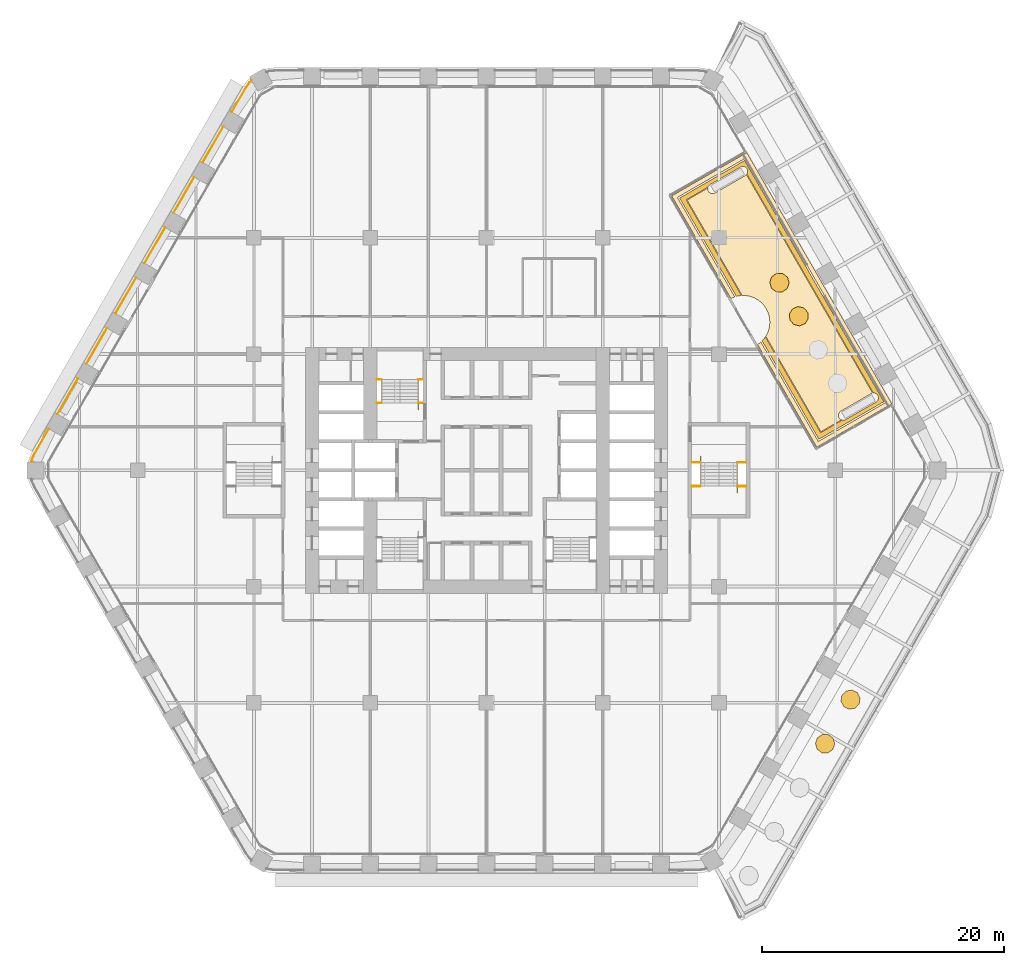
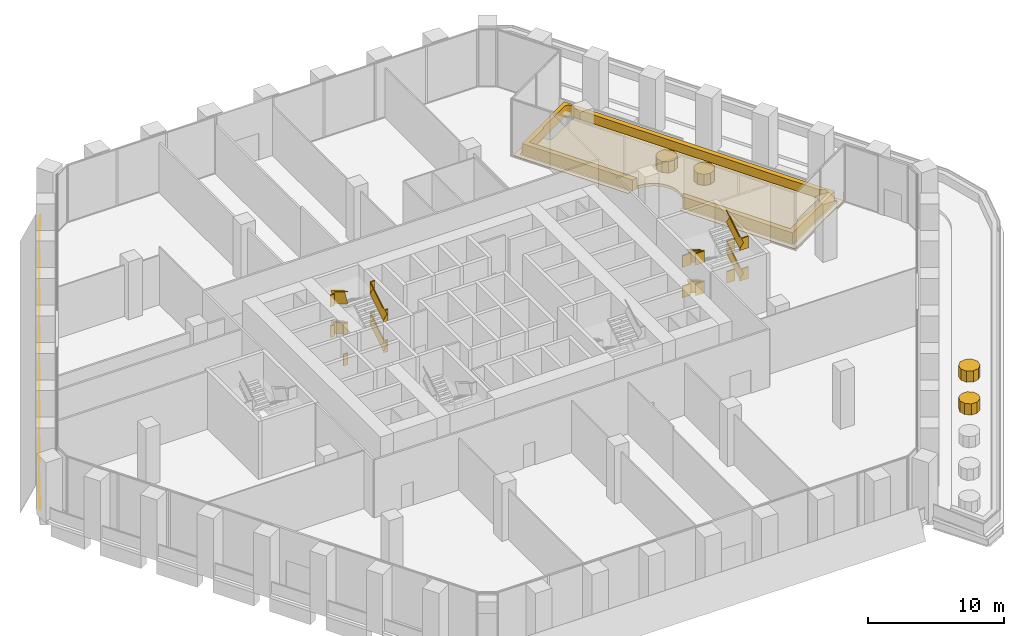
# One storey, part 31 of 32: 7 coverings, 5 railings.
"""IFC4 building model written with IfcOpenShell, lengths in metres."""

import ifcopenshell
import ifcopenshell.guid

model = None  # the IFC model being written
_history = None  # IfcOwnerHistory: only IFC2X3 demands one
_inside = {}  # id of a spatial element -> (the spatial element, [elements in it])
_under = {}  # id of a project, library or spatial element -> (it, [spatial elements below it])
_declared = {}  # id of a project -> (the project, [libraries it declares])
_typed = {}  # id of a type object -> (the type object, [elements of that type])
_made_of = {}  # id of a material, layer set ... -> (it, [elements and type objects made of it])


def new_model(schema):
    """Start an empty IFC model of exactly this schema.

    Asked for "IFC4X3", IfcOpenShell would pick the latest addendum, in which some entities
    have other attributes; the version numbers below select the first issue.
    IFC2X3 requires an IfcOwnerHistory on every rooted entity: one is made here for all.
    """
    global model, _history
    if schema == "IFC4X3":
        model = ifcopenshell.file(schema_version=(4, 3, 0, 0))
    else:
        model = ifcopenshell.file(schema=schema)
    _inside.clear()
    _under.clear()
    _declared.clear()
    _typed.clear()
    _made_of.clear()
    _history = None
    if model.schema == "IFC2X3":
        org = make("IfcOrganization", Name="unknown")
        user = make(
            "IfcPersonAndOrganization",
            ThePerson=make("IfcPerson", FamilyName="unknown"),
            TheOrganization=org,
        )
        app = make(
            "IfcApplication",
            ApplicationDeveloper=org,
            Version="unknown",
            ApplicationFullName="unknown",
            ApplicationIdentifier="unknown",
        )
        _history = make(
            "IfcOwnerHistory",
            OwningUser=user,
            OwningApplication=app,
            ChangeAction="ADDED",
            CreationDate=0,
        )
    return model


def make(cls, **values):
    """One entity of the class cls with the attributes given. An attribute that is None is left unset."""
    return model.create_entity(
        cls, **{name: value for name, value in values.items() if value is not None}
    )


def rooted(cls, **values):
    """An entity with a GlobalId (a new one), such as an element, a storey or a relation."""
    return make(cls, GlobalId=ifcopenshell.guid.new(), OwnerHistory=_history, **values)


def si_unit(unit_type, name, prefix=None):
    """IfcSIUnit, for example si_unit("LENGTHUNIT", "METRE", prefix="MILLI")."""
    return make("IfcSIUnit", UnitType=unit_type, Prefix=prefix, Name=name)


def assignment(units):
    """IfcUnitAssignment: the units of a project."""
    return None if units is None else make("IfcUnitAssignment", Units=units)


def point(xyz):
    """IfcCartesianPoint."""
    return None if xyz is None else make("IfcCartesianPoint", Coordinates=xyz)


def direction(xyz):
    """IfcDirection."""
    return None if xyz is None else make("IfcDirection", DirectionRatios=xyz)


def frame(location, z_axis=None, x_axis=None):
    """IfcAxis2Placement3D, a coordinate frame: its origin and axes. An axis left out is left unset."""
    return make(
        "IfcAxis2Placement3D",
        Location=point(location),
        Axis=direction(z_axis),
        RefDirection=direction(x_axis),
    )


def frame_2d(location, x_axis=None):
    """IfcAxis2Placement2D, a coordinate frame in the plane: its origin and x axis."""
    return make(
        "IfcAxis2Placement2D", Location=point(location), RefDirection=direction(x_axis)
    )


def origin():
    """The frame at (0, 0, 0) with its axes left unset."""
    return frame((0.0, 0.0, 0.0))


def origin_2d():
    """The frame at (0, 0) in the plane with its x axis left unset."""
    return frame_2d((0.0, 0.0))


def place(relative_to, where):
    """IfcLocalPlacement: puts the frame where relative to a parent placement (None: the world)."""
    return make(
        "IfcLocalPlacement", PlacementRelTo=relative_to, RelativePlacement=where
    )


def context(
    kind, dimensions, precision=None, world=None, true_north=None, identifier=None
):
    """IfcGeometricRepresentationContext, for example the 3D "Model" context."""
    return make(
        "IfcGeometricRepresentationContext",
        ContextIdentifier=identifier,
        ContextType=kind,
        CoordinateSpaceDimension=dimensions,
        Precision=precision,
        WorldCoordinateSystem=world,
        TrueNorth=true_north,
    )


def subcontext(parent, identifier, kind, view, scale=None):
    """IfcGeometricRepresentationSubContext, for example "Body" below "Model"."""
    return make(
        "IfcGeometricRepresentationSubContext",
        ContextIdentifier=identifier,
        ContextType=kind,
        ParentContext=parent,
        TargetScale=scale,
        TargetView=view,
    )


def project(units=None, contexts=None):
    """IfcProject with its units and contexts."""
    return rooted(
        "IfcProject",
        Name="project",
        RepresentationContexts=contexts,
        UnitsInContext=assignment(units),
    )


def spatial(cls, under=None, at=None, **own):
    """A site, building, storey or space (cls), placed at a placement, below another one or the project."""
    s = rooted(cls, ObjectPlacement=at, **own)
    if under is not None:
        _under.setdefault(under.id(), (under, []))[1].append(s)
    return s


def polyline(points):
    """IfcPolyline through the points."""
    return make("IfcPolyline", Points=[point(p) for p in points])


def profile(cls, at=None, kind="AREA", **sizes):
    """A parametric profile (cls). Its sizes go by their IFC names, for example OverallWidth=200.0."""
    return make(cls, ProfileType=kind, Position=at, **sizes)


def rectangle(**sizes):
    """IfcRectangleProfileDef."""
    return profile("IfcRectangleProfileDef", **sizes)


def outline(outer, holes=None, kind="AREA"):
    """IfcArbitraryClosedProfileDef: a profile drawn as a closed curve; with holes, ...WithVoids."""
    if holes is None:
        return make("IfcArbitraryClosedProfileDef", ProfileType=kind, OuterCurve=outer)
    return make(
        "IfcArbitraryProfileDefWithVoids",
        ProfileType=kind,
        OuterCurve=outer,
        InnerCurves=holes,
    )


def extrude(swept, where, along, depth):
    """IfcExtrudedAreaSolid: the profile swept, set in the frame where, extruded along a direction by depth."""
    return make(
        "IfcExtrudedAreaSolid",
        SweptArea=swept,
        Position=where,
        ExtrudedDirection=direction(along),
        Depth=depth,
    )


def shape(context_of_items, identifier, shape_type, items):
    """IfcShapeRepresentation: the items that make up one representation, for example the "Body"."""
    return make(
        "IfcShapeRepresentation",
        ContextOfItems=context_of_items,
        RepresentationIdentifier=identifier,
        RepresentationType=shape_type,
        Items=items,
    )


def material(Name=None, Category=None):
    """IfcMaterial."""
    return make("IfcMaterial", Name=Name, Category=Category)


def layer(
    of_material, thickness, ventilated=None, Name=None, Category=None, Priority=None
):
    """IfcMaterialLayer: one layer of a wall or slab, of a material (None: an air gap)."""
    return make(
        "IfcMaterialLayer",
        Material=of_material,
        LayerThickness=thickness,
        IsVentilated=ventilated,
        Name=Name,
        Category=Category,
        Priority=Priority,
    )


def layer_set(layers, Name=None):
    """IfcMaterialLayerSet."""
    return make("IfcMaterialLayerSet", MaterialLayers=layers, LayerSetName=Name)


def made_of(thing, what):
    """Note that an element or type object is made of a material, layer set ...; save() writes the relation."""
    if what is not None:
        _made_of.setdefault(what.id(), (what, []))[1].append(thing)
    return thing


def type_object(cls, material=None, **own):
    """A type object (cls), such as IfcWallType, which elements share."""
    return made_of(rooted(cls, **own), material)


def element(
    cls,
    number,
    at=None,
    inside=None,
    cuts=None,
    type_object=None,
    material=None,
    context=None,
    identifier="Body",
    shape_type=None,
    held_by="IfcProductDefinitionShape",
    body=None,
    shapes=None,
    **own,
):
    """One element of the class cls, such as IfcWall. Its Tag is "e" and its number.

    at: its placement. inside: the storey or other place that contains it. cuts: it is an
    opening in that element (IfcRelVoidsElement). A single representation is given by context,
    identifier, shape_type and body (its items); several are given by shapes. held_by: the class
    of the entity that holds the representations. save() writes the other relations.
    """
    e = rooted(cls, Tag="e%d" % number, ObjectPlacement=at, **own)
    if body is not None:
        shapes = [shape(context, identifier, shape_type, body)]
    if shapes is not None:
        e.Representation = make(held_by, Representations=shapes)
    if inside is not None:
        _inside.setdefault(inside.id(), (inside, []))[1].append(e)
    if cuts is not None:
        rooted(
            "IfcRelVoidsElement", RelatingBuildingElement=cuts, RelatedOpeningElement=e
        )
    if type_object is not None:
        _typed.setdefault(type_object.id(), (type_object, []))[1].append(e)
    return made_of(e, material)


def aggregate(whole, parts):
    """IfcRelAggregates: a whole, such as a stair, and the parts it consists of."""
    return rooted("IfcRelAggregates", RelatingObject=whole, RelatedObjects=parts)


def save(model, path):
    """Write the relations noted so far, then the file.

    IfcRelAggregates (storeys below a building ...), IfcRelContainedInSpatialStructure (elements
    in a storey), IfcRelDefinesByType, IfcRelAssociatesMaterial and IfcRelDeclares: one each for
    every whole, place, type object, material and project.
    """
    for whole, parts in _under.values():
        aggregate(whole, parts)
    for where, things in _inside.values():
        rooted(
            "IfcRelContainedInSpatialStructure",
            RelatedElements=things,
            RelatingStructure=where,
        )
    for kind, things in _typed.values():
        rooted("IfcRelDefinesByType", RelatedObjects=things, RelatingType=kind)
    for what, things in _made_of.values():
        rooted("IfcRelAssociatesMaterial", RelatedObjects=things, RelatingMaterial=what)
    for by, libraries in _declared.values():
        rooted("IfcRelDeclares", RelatingContext=by, RelatedDefinitions=libraries)
    model.write(path)


model = new_model("IFC4")

# Units and contexts
model_context = context("Model", 3, precision=1e-05, world=origin(), true_north=direction((0.0, 1.0)))
body_context = subcontext(model_context, "Body", "Model", "MODEL_VIEW")
ifc_project = project(units=[si_unit("LENGTHUNIT", "METRE"), si_unit("AREAUNIT", "SQUARE_METRE"), si_unit("VOLUMEUNIT", "CUBIC_METRE"), si_unit("PLANEANGLEUNIT", "RADIAN"), si_unit("MASSUNIT", "GRAM", prefix="KILO")], contexts=[model_context])

# Site, building, storey
site_placement = place(None, origin())
site = spatial("IfcSite", under=ifc_project, at=site_placement, CompositionType="ELEMENT")
building_placement = place(site_placement, origin())
building = spatial("IfcBuilding", under=site, at=building_placement, Name="Kolab Exchange Tower", CompositionType="ELEMENT")
storey_placement = place(building_placement, frame((0.0, 0.0, 60.89990234375)))
storey = spatial("IfcBuildingStorey", under=building, at=storey_placement, Name="L11", CompositionType="ELEMENT", Elevation=60.89990234375)

# Coverings
ifc_material_1 = material(Name="Flowering shrub planting", Category="soil")
ifc_layer_1 = layer(ifc_material_1, 1.0)
ifc_layer_set_1 = layer_set([ifc_layer_1], Name="Flowering shrub planting")
covering_type_1 = type_object("IfcCoveringType", Name="FLOWERING SHRUB PLANTING", PredefinedType="USERDEFINED", material=ifc_layer_set_1)
covering_1_placement = place(storey_placement, frame((0.0, 0.0, 0.25)))
element("IfcCovering", 1, at=covering_1_placement, inside=storey, type_object=covering_type_1, Name="Flowering shrub", ObjectType="PLANTING", PredefinedType="USERDEFINED", context=body_context, shape_type="SweptSolid", body=[
    extrude(outline(polyline([(26.529541015625, 13.03759765625), (26.205810546875, 13.411376953125), (25.72412109375, 13.523193359375), (25.268798828125, 13.33056640625), (25.013427734375, 12.9072265625), (25.055908203125, 12.41455078125), (25.379638671875, 12.041015625), (25.861328125, 11.928955078125), (26.316650390625, 12.12158203125), (26.572021484375, 12.545166015625), (26.529541015625, 13.03759765625)])), origin(), (0.0, 0.0, 1.0), 1.0),
])
covering_2_placement = place(storey_placement, frame((0.0, 0.0, 0.25)))
element("IfcCovering", 2, at=covering_2_placement, inside=storey, type_object=covering_type_1, Name="Flowering shrub", ObjectType="PLANTING", PredefinedType="USERDEFINED", context=body_context, shape_type="SweptSolid", body=[
    extrude(outline(polyline([(24.85302734375, 15.948974609375), (24.46142578125, 16.2509765625), (23.967041015625, 16.264892578125), (23.55908203125, 15.985595703125), (23.39306640625, 15.52001953125), (23.532470703125, 15.045654296875), (23.924072265625, 14.743896484375), (24.418212890625, 14.729736328125), (24.826416015625, 15.009033203125), (24.992431640625, 15.474609375), (24.85302734375, 15.948974609375)])), origin(), (0.0, 0.0, 1.0), 1.0),
])
covering_3_placement = place(storey_placement, frame((0.0, 0.0, 0.25)))
element("IfcCovering", 3, at=covering_3_placement, inside=storey, type_object=covering_type_1, Name="Flowering shrub", ObjectType="PLANTING", PredefinedType="USERDEFINED", context=body_context, shape_type="SweptSolid", body=[
    extrude(outline(polyline([(28.621337890625, -22.1220703125), (28.229736328125, -21.8203125), (27.735595703125, -21.806396484375), (27.327392578125, -22.08544921875), (27.161376953125, -22.55126953125), (27.30078125, -23.025634765625), (27.6923828125, -23.327392578125), (28.186767578125, -23.34130859375), (28.5947265625, -23.062255859375), (28.7607421875, -22.596435546875), (28.621337890625, -22.1220703125)])), origin(), (0.0, 0.0, 1.0), 1.0),
])
covering_4_placement = place(storey_placement, frame((0.0, 0.0, 0.25)))
element("IfcCovering", 4, at=covering_4_placement, inside=storey, type_object=covering_type_1, Name="Flowering shrub", ObjectType="PLANTING", PredefinedType="USERDEFINED", context=body_context, shape_type="SweptSolid", body=[
    extrude(outline(polyline([(30.618408203125, -18.36279296875), (30.1748046875, -18.144775390625), (29.6875, -18.229248046875), (29.343017578125, -18.583984375), (29.27294921875, -19.0732421875), (29.503662109375, -19.510498046875), (29.947509765625, -19.728515625), (30.4345703125, -19.64404296875), (30.779052734375, -19.289306640625), (30.849365234375, -18.800048828125), (30.618408203125, -18.36279296875)])), origin(), (0.0, 0.0, 1.0), 1.0),
])

# Railings
ifc_material_2 = material(Name="Stainless steel 316", Category="steel")
railing_type_1 = type_object("IfcRailingType", Name="GUARD 1100", PredefinedType="GUARDRAIL", material=ifc_material_2)
railing_1_placement = place(storey_placement, frame((-9.050048828125, 5.550048828125, 0.0)))
element("IfcRailing", 5, at=railing_1_placement, inside=storey, type_object=railing_type_1, Name="Guard ST1", PredefinedType="GUARDRAIL", context=body_context, shape_type="SweptSolid", body=[
    extrude(rectangle(XDim=0.05, YDim=0.05, at=origin_2d()), frame((0.0, 0.0, 1.0751953125), z_axis=(1.0, 0.0, 0.0), x_axis=(0.0, 1.0, 0.0)), (0.0, 0.0, 1.0), 0.39013671875),
    extrude(rectangle(XDim=0.012, YDim=1.05009765625, at=frame_2d((0.0, 0.525146484375))), frame((0.0, 0.0, 0.0), z_axis=(1.0, 0.0, 0.0), x_axis=(0.0, 1.0, 0.0)), (0.0, 0.0, 1.0), 0.39013671875),
    extrude(rectangle(XDim=0.05, YDim=0.05, at=origin_2d()), frame((3.41015625, 0.0, 1.0751953125), z_axis=(1.0, 0.0, 0.0), x_axis=(0.0, 1.0, 0.0)), (0.0, 0.0, 1.0), 0.389892578125),
    extrude(rectangle(XDim=0.012, YDim=1.05009765625, at=frame_2d((0.0, 0.525146484375))), frame((3.41015625, 0.0, 0.0), z_axis=(1.0, 0.0, 0.0), x_axis=(0.0, 1.0, 0.0)), (0.0, 0.0, 1.0), 0.389892578125),
    extrude(rectangle(XDim=0.05, YDim=0.05, at=origin_2d()), frame((0.0, 1.9599609375, 2.4501953125), z_axis=(1.0, 0.0, 0.0), x_axis=(0.0, 1.0, 0.0)), (0.0, 0.0, 1.0), 0.39013671875),
    extrude(rectangle(XDim=0.012, YDim=1.05009765625, at=frame_2d((0.0, 0.525146484375))), frame((0.0, 1.9599609375, 1.375), z_axis=(1.0, 0.0, 0.0), x_axis=(0.0, 1.0, 0.0)), (0.0, 0.0, 1.0), 0.39013671875),
    extrude(rectangle(XDim=0.05, YDim=0.05, at=origin_2d()), frame((3.41015625, 1.9599609375, 2.4501953125), z_axis=(1.0, 0.0, 0.0), x_axis=(0.0, 1.0, 0.0)), (0.0, 0.0, 1.0), 0.389892578125),
    extrude(rectangle(XDim=0.012, YDim=1.05009765625, at=frame_2d((0.0, 0.525146484375))), frame((3.41015625, 1.9599609375, 1.375), z_axis=(1.0, 0.0, 0.0), x_axis=(0.0, 1.0, 0.0)), (0.0, 0.0, 1.0), 0.389892578125),
    extrude(rectangle(XDim=0.05, YDim=0.05, at=origin_2d()), frame((0.0, 0.0, 3.8251953125), z_axis=(1.0, 0.0, 0.0), x_axis=(0.0, 1.0, 0.0)), (0.0, 0.0, 1.0), 0.39013671875),
    extrude(rectangle(XDim=0.012, YDim=1.05009765625, at=frame_2d((0.0, 0.525146484375))), frame((0.0, 0.0, 2.75), z_axis=(1.0, 0.0, 0.0), x_axis=(0.0, 1.0, 0.0)), (0.0, 0.0, 1.0), 0.39013671875),
    extrude(rectangle(XDim=0.05, YDim=0.05, at=origin_2d()), frame((3.41015625, 0.0, 3.8251953125), z_axis=(1.0, 0.0, 0.0), x_axis=(0.0, 1.0, 0.0)), (0.0, 0.0, 1.0), 0.389892578125),
    extrude(rectangle(XDim=0.012, YDim=1.05009765625, at=frame_2d((0.0, 0.525146484375))), frame((3.41015625, 0.0, 2.75), z_axis=(1.0, 0.0, 0.0), x_axis=(0.0, 1.0, 0.0)), (0.0, 0.0, 1.0), 0.389892578125),
    extrude(rectangle(XDim=0.05, YDim=0.05, at=origin_2d()), frame((0.0, 1.9599609375, 5.2001953125), z_axis=(1.0, 0.0, 0.0), x_axis=(0.0, 1.0, 0.0)), (0.0, 0.0, 1.0), 0.39013671875),
    extrude(rectangle(XDim=0.012, YDim=1.05009765625, at=frame_2d((0.0, 0.525146484375))), frame((0.0, 1.9599609375, 4.125), z_axis=(1.0, 0.0, 0.0), x_axis=(0.0, 1.0, 0.0)), (0.0, 0.0, 1.0), 0.39013671875),
    extrude(rectangle(XDim=0.05, YDim=0.05, at=origin_2d()), frame((3.41015625, 1.9599609375, 5.2001953125), z_axis=(1.0, 0.0, 0.0), x_axis=(0.0, 1.0, 0.0)), (0.0, 0.0, 1.0), 0.389892578125),
    extrude(rectangle(XDim=0.012, YDim=1.05009765625, at=frame_2d((0.0, 0.525146484375))), frame((3.41015625, 1.9599609375, 4.125), z_axis=(1.0, 0.0, 0.0), x_axis=(0.0, 1.0, 0.0)), (0.0, 0.0, 1.0), 0.389892578125),
])
railing_2_placement = place(storey_placement, frame((-5.639892578125, 5.550048828125, 0.172119140625)))
element("IfcRailing", 6, at=railing_2_placement, inside=storey, type_object=railing_type_1, Name="Handrail guard ST1", PredefinedType="GUARDRAIL", context=body_context, shape_type="SweptSolid", body=[
    extrude(rectangle(XDim=0.05, YDim=0.05, at=origin_2d()), frame((0.0, 0.0, 1.0751953125), z_axis=(0.0, 0.852288308005, 0.523072308613), x_axis=(-1.0, 0.0, 0.0)), (0.0, 0.0, 1.0), 2.299560546875),
    extrude(rectangle(XDim=0.012, YDim=1.05009765625, at=frame_2d((0.0, 0.525146484375))), frame((0.0, 0.0, 0.0), z_axis=(0.0, 0.852288308005, 0.523072308613), x_axis=(-1.0, 0.0, 0.0)), (0.0, 0.0, 1.0), 2.299560546875),
    extrude(rectangle(XDim=0.05, YDim=0.05, at=origin_2d()), frame((-3.02001953125, 1.9599609375, 2.4501953125), z_axis=(0.0, -0.852288308005, 0.523072308613), x_axis=(1.0, 0.0, 0.0)), (0.0, 0.0, 1.0), 2.299560546875),
    extrude(rectangle(XDim=0.012, YDim=1.05009765625, at=frame_2d((0.0, 0.525146484375))), frame((-3.02001953125, 1.9599609375, 1.375), z_axis=(0.0, -0.852288308005, 0.523072308613), x_axis=(1.0, 0.0, 0.0)), (0.0, 0.0, 1.0), 2.299560546875),
    extrude(rectangle(XDim=0.05, YDim=0.05, at=origin_2d()), frame((0.0, 0.0, 3.8251953125), z_axis=(0.0, 0.852288308005, 0.523072308613), x_axis=(-1.0, 0.0, 0.0)), (0.0, 0.0, 1.0), 2.299560546875),
    extrude(rectangle(XDim=0.012, YDim=1.05009765625, at=frame_2d((0.0, 0.525146484375))), frame((0.0, 0.0, 2.75), z_axis=(0.0, 0.852288308005, 0.523072308613), x_axis=(-1.0, 0.0, 0.0)), (0.0, 0.0, 1.0), 2.299560546875),
    extrude(rectangle(XDim=0.05, YDim=0.05, at=origin_2d()), frame((-3.02001953125, 1.9599609375, 5.2001953125), z_axis=(0.0, -0.852288308005, 0.523072308613), x_axis=(1.0, 0.0, 0.0)), (0.0, 0.0, 1.0), 2.299560546875),
    extrude(rectangle(XDim=0.012, YDim=1.05009765625, at=frame_2d((0.0, 0.525146484375))), frame((-3.02001953125, 1.9599609375, 4.125), z_axis=(0.0, -0.852288308005, 0.523072308613), x_axis=(1.0, 0.0, 0.0)), (0.0, 0.0, 1.0), 2.299560546875),
])
railing_3_placement = place(storey_placement, frame((16.949951171875, 0.64990234375, 0.0)))
element("IfcRailing", 7, at=railing_3_placement, inside=storey, type_object=railing_type_1, Name="Guard ST4", PredefinedType="GUARDRAIL", context=body_context, shape_type="SweptSolid", body=[
    extrude(rectangle(XDim=0.05, YDim=0.05, at=origin_2d()), frame((0.0, 0.0, 1.0751953125), z_axis=(1.0, 0.0, 0.0), x_axis=(0.0, 1.0, 0.0)), (0.0, 0.0, 1.0), 0.739990234375),
    extrude(rectangle(XDim=0.012, YDim=1.05009765625, at=frame_2d((0.0, 0.525146484375))), frame((0.0, 0.0, 0.0), z_axis=(1.0, 0.0, 0.0), x_axis=(0.0, 1.0, 0.0)), (0.0, 0.0, 1.0), 0.739990234375),
    extrude(rectangle(XDim=0.05, YDim=0.05, at=origin_2d()), frame((3.760009765625, 0.0, 1.0751953125), z_axis=(1.0, 0.0, 0.0), x_axis=(0.0, 1.0, 0.0)), (0.0, 0.0, 1.0), 0.739990234375),
    extrude(rectangle(XDim=0.012, YDim=1.05009765625, at=frame_2d((0.0, 0.525146484375))), frame((3.760009765625, 0.0, 0.0), z_axis=(1.0, 0.0, 0.0), x_axis=(0.0, 1.0, 0.0)), (0.0, 0.0, 1.0), 0.739990234375),
    extrude(rectangle(XDim=0.05, YDim=0.05, at=origin_2d()), frame((0.0, -1.9599609375, 2.4501953125), z_axis=(1.0, 0.0, 0.0), x_axis=(0.0, 1.0, 0.0)), (0.0, 0.0, 1.0), 0.739990234375),
    extrude(rectangle(XDim=0.012, YDim=1.05009765625, at=frame_2d((0.0, 0.525146484375))), frame((0.0, -1.9599609375, 1.375), z_axis=(1.0, 0.0, 0.0), x_axis=(0.0, 1.0, 0.0)), (0.0, 0.0, 1.0), 0.739990234375),
    extrude(rectangle(XDim=0.05, YDim=0.05, at=origin_2d()), frame((3.760009765625, -1.9599609375, 2.4501953125), z_axis=(1.0, 0.0, 0.0), x_axis=(0.0, 1.0, 0.0)), (0.0, 0.0, 1.0), 0.739990234375),
    extrude(rectangle(XDim=0.012, YDim=1.05009765625, at=frame_2d((0.0, 0.525146484375))), frame((3.760009765625, -1.9599609375, 1.375), z_axis=(1.0, 0.0, 0.0), x_axis=(0.0, 1.0, 0.0)), (0.0, 0.0, 1.0), 0.739990234375),
    extrude(rectangle(XDim=0.05, YDim=0.05, at=origin_2d()), frame((0.0, 0.0, 3.8251953125), z_axis=(1.0, 0.0, 0.0), x_axis=(0.0, 1.0, 0.0)), (0.0, 0.0, 1.0), 0.739990234375),
    extrude(rectangle(XDim=0.012, YDim=1.05009765625, at=frame_2d((0.0, 0.525146484375))), frame((0.0, 0.0, 2.75), z_axis=(1.0, 0.0, 0.0), x_axis=(0.0, 1.0, 0.0)), (0.0, 0.0, 1.0), 0.739990234375),
    extrude(rectangle(XDim=0.05, YDim=0.05, at=origin_2d()), frame((3.760009765625, 0.0, 3.8251953125), z_axis=(1.0, 0.0, 0.0), x_axis=(0.0, 1.0, 0.0)), (0.0, 0.0, 1.0), 0.739990234375),
    extrude(rectangle(XDim=0.012, YDim=1.05009765625, at=frame_2d((0.0, 0.525146484375))), frame((3.760009765625, 0.0, 2.75), z_axis=(1.0, 0.0, 0.0), x_axis=(0.0, 1.0, 0.0)), (0.0, 0.0, 1.0), 0.739990234375),
    extrude(rectangle(XDim=0.05, YDim=0.05, at=origin_2d()), frame((0.0, -1.9599609375, 5.2001953125), z_axis=(1.0, 0.0, 0.0), x_axis=(0.0, 1.0, 0.0)), (0.0, 0.0, 1.0), 0.739990234375),
    extrude(rectangle(XDim=0.012, YDim=1.05009765625, at=frame_2d((0.0, 0.525146484375))), frame((0.0, -1.9599609375, 4.125), z_axis=(1.0, 0.0, 0.0), x_axis=(0.0, 1.0, 0.0)), (0.0, 0.0, 1.0), 0.739990234375),
    extrude(rectangle(XDim=0.05, YDim=0.05, at=origin_2d()), frame((3.760009765625, -1.9599609375, 5.2001953125), z_axis=(1.0, 0.0, 0.0), x_axis=(0.0, 1.0, 0.0)), (0.0, 0.0, 1.0), 0.739990234375),
    extrude(rectangle(XDim=0.012, YDim=1.05009765625, at=frame_2d((0.0, 0.525146484375))), frame((3.760009765625, -1.9599609375, 4.125), z_axis=(1.0, 0.0, 0.0), x_axis=(0.0, 1.0, 0.0)), (0.0, 0.0, 1.0), 0.739990234375),
])
railing_4_placement = place(storey_placement, frame((17.68994140625, 0.64990234375, 0.172119140625)))
element("IfcRailing", 8, at=railing_4_placement, inside=storey, type_object=railing_type_1, Name="Handrail guard ST4", PredefinedType="GUARDRAIL", context=body_context, shape_type="SweptSolid", body=[
    extrude(rectangle(XDim=0.05, YDim=0.05, at=origin_2d()), frame((0.0, 0.0, 1.0751953125), z_axis=(0.0, -0.852288308005, 0.523072308613), x_axis=(1.0, 0.0, 0.0)), (0.0, 0.0, 1.0), 2.299560546875),
    extrude(rectangle(XDim=0.012, YDim=1.05009765625, at=frame_2d((0.0, 0.525146484375))), frame((0.0, 0.0, 0.0), z_axis=(0.0, -0.852288308005, 0.523072308613), x_axis=(1.0, 0.0, 0.0)), (0.0, 0.0, 1.0), 2.299560546875),
    extrude(rectangle(XDim=0.05, YDim=0.05, at=origin_2d()), frame((3.02001953125, -1.9599609375, 2.4501953125), z_axis=(0.0, 0.852288308005, 0.523072308613), x_axis=(-1.0, 0.0, 0.0)), (0.0, 0.0, 1.0), 2.299560546875),
    extrude(rectangle(XDim=0.012, YDim=1.05009765625, at=frame_2d((0.0, 0.525146484375))), frame((3.02001953125, -1.9599609375, 1.375), z_axis=(0.0, 0.852288308005, 0.523072308613), x_axis=(-1.0, 0.0, 0.0)), (0.0, 0.0, 1.0), 2.299560546875),
    extrude(rectangle(XDim=0.05, YDim=0.05, at=origin_2d()), frame((0.0, 0.0, 3.8251953125), z_axis=(0.0, -0.852288308005, 0.523072308613), x_axis=(1.0, 0.0, 0.0)), (0.0, 0.0, 1.0), 2.299560546875),
    extrude(rectangle(XDim=0.012, YDim=1.05009765625, at=frame_2d((0.0, 0.525146484375))), frame((0.0, 0.0, 2.75), z_axis=(0.0, -0.852288308005, 0.523072308613), x_axis=(1.0, 0.0, 0.0)), (0.0, 0.0, 1.0), 2.299560546875),
    extrude(rectangle(XDim=0.05, YDim=0.05, at=origin_2d()), frame((3.02001953125, -1.9599609375, 5.2001953125), z_axis=(0.0, 0.852288308005, 0.523072308613), x_axis=(-1.0, 0.0, 0.0)), (0.0, 0.0, 1.0), 2.299560546875),
    extrude(rectangle(XDim=0.012, YDim=1.05009765625, at=frame_2d((0.0, 0.525146484375))), frame((3.02001953125, -1.9599609375, 4.125), z_axis=(0.0, 0.852288308005, 0.523072308613), x_axis=(-1.0, 0.0, 0.0)), (0.0, 0.0, 1.0), 2.299560546875),
])
ifc_material_3 = material(Name="Steel S235", Category="steel")
railing_type_2 = type_object("IfcRailingType", Name="GUARD 1100 GLASS BALUSTRADE AND STEEL TOP RAIL", PredefinedType="GUARDRAIL", material=ifc_material_3)
railing_5_placement = place(storey_placement, frame((-19.3916015625, 32.2060546875, 0.0)))
element("IfcRailing", 9, at=railing_5_placement, inside=storey, type_object=railing_type_2, Name="Guard", PredefinedType="GUARDRAIL", context=body_context, shape_type="SweptSolid", body=[
    extrude(rectangle(XDim=0.05, YDim=0.05, at=origin_2d()), frame((0.0, 0.0, 1.0751953125), z_axis=(-0.706634904947, -0.707578342737, 0.0), x_axis=(0.707578342737, -0.706634904947, 0.0)), (0.0, 0.0, 1.0), 0.2587890625),
    extrude(rectangle(XDim=0.012, YDim=1.05009765625, at=frame_2d((0.0, 0.525146484375))), frame((0.0, 0.0, 0.0), z_axis=(-0.706634904947, -0.707578342737, 0.0), x_axis=(0.707578342737, -0.706634904947, 0.0)), (0.0, 0.0, 1.0), 0.2587890625),
    extrude(rectangle(XDim=0.05, YDim=0.05, at=origin_2d()), frame((-0.182861328125, -0.18310546875, 1.0751953125), z_axis=(-0.573940749815, -0.818896828485, 0.0), x_axis=(0.818896828485, -0.573940749815, 0.0)), (0.0, 0.0, 1.0), 0.4794921875),
    extrude(rectangle(XDim=0.012, YDim=1.05009765625, at=frame_2d((0.0, 0.525146484375))), frame((-0.182861328125, -0.18310546875, 0.0), z_axis=(-0.573940749815, -0.818896828485, 0.0), x_axis=(0.818896828485, -0.573940749815, 0.0)), (0.0, 0.0, 1.0), 0.4794921875),
    extrude(rectangle(XDim=0.05, YDim=0.05, at=origin_2d()), frame((-0.4580078125, -0.57568359375, 1.0751953125), z_axis=(-0.499942602326, -0.866058539811, 0.0), x_axis=(0.866058539811, -0.499942602326, 0.0)), (0.0, 0.0, 1.0), 2.367919921875),
    extrude(rectangle(XDim=0.012, YDim=1.05009765625, at=frame_2d((0.0, 0.525146484375))), frame((-0.4580078125, -0.57568359375, 0.0), z_axis=(-0.499942602326, -0.866058539811, 0.0), x_axis=(0.866058539811, -0.499942602326, 0.0)), (0.0, 0.0, 1.0), 2.367919921875),
    extrude(rectangle(XDim=0.05, YDim=0.05, at=origin_2d()), frame((-2.341796875, -3.8388671875, 1.0751953125), z_axis=(-0.500062241894, -0.865989465428, 0.0), x_axis=(0.865989465428, -0.500062241894, 0.0)), (0.0, 0.0, 1.0), 3.39990234375),
    extrude(rectangle(XDim=0.012, YDim=1.05009765625, at=frame_2d((0.0, 0.525146484375))), frame((-2.341796875, -3.8388671875, 0.0), z_axis=(-0.500062241894, -0.865989465428, 0.0), x_axis=(0.865989465428, -0.500062241894, 0.0)), (0.0, 0.0, 1.0), 3.39990234375),
    extrude(rectangle(XDim=0.05, YDim=0.05, at=origin_2d()), frame((-4.741943359375, -7.995849609375, 1.0751953125), z_axis=(-0.500008388397, -0.866020560687, 0.0), x_axis=(0.866020560687, -0.500008388397, 0.0)), (0.0, 0.0, 1.0), 3.39990234375),
    extrude(rectangle(XDim=0.012, YDim=1.05009765625, at=frame_2d((0.0, 0.525146484375))), frame((-4.741943359375, -7.995849609375, 0.0), z_axis=(-0.500008388397, -0.866020560687, 0.0), x_axis=(0.866020560687, -0.500008388397, 0.0)), (0.0, 0.0, 1.0), 3.39990234375),
    extrude(rectangle(XDim=0.05, YDim=0.05, at=origin_2d()), frame((-7.141845703125, -12.152587890625, 1.0751953125), z_axis=(-0.499977295307, -0.866038511948, 0.0), x_axis=(0.866038511948, -0.499977295307, 0.0)), (0.0, 0.0, 1.0), 3.400146484375),
    extrude(rectangle(XDim=0.012, YDim=1.05009765625, at=frame_2d((0.0, 0.525146484375))), frame((-7.141845703125, -12.152587890625, 0.0), z_axis=(-0.499977295307, -0.866038511948, 0.0), x_axis=(0.866038511948, -0.499977295307, 0.0)), (0.0, 0.0, 1.0), 3.400146484375),
    extrude(rectangle(XDim=0.05, YDim=0.05, at=origin_2d()), frame((-9.5419921875, -16.3095703125, 1.0751953125), z_axis=(-0.499977295307, -0.866038511948, 0.0), x_axis=(0.866038511948, -0.499977295307, 0.0)), (0.0, 0.0, 1.0), 3.400146484375),
    extrude(rectangle(XDim=0.012, YDim=1.05009765625, at=frame_2d((0.0, 0.525146484375))), frame((-9.5419921875, -16.3095703125, 0.0), z_axis=(-0.499977295307, -0.866038511948, 0.0), x_axis=(0.866038511948, -0.499977295307, 0.0)), (0.0, 0.0, 1.0), 3.400146484375),
    extrude(rectangle(XDim=0.05, YDim=0.05, at=origin_2d()), frame((-11.94189453125, -20.466552734375, 1.0751953125), z_axis=(-0.500008388397, -0.866020560687, 0.0), x_axis=(0.866020560687, -0.500008388397, 0.0)), (0.0, 0.0, 1.0), 3.39990234375),
    extrude(rectangle(XDim=0.012, YDim=1.05009765625, at=frame_2d((0.0, 0.525146484375))), frame((-11.94189453125, -20.466552734375, 0.0), z_axis=(-0.500008388397, -0.866020560687, 0.0), x_axis=(0.866020560687, -0.500008388397, 0.0)), (0.0, 0.0, 1.0), 3.39990234375),
    extrude(rectangle(XDim=0.05, YDim=0.05, at=origin_2d()), frame((-14.341796875, -24.62353515625, 1.0751953125), z_axis=(-0.500062241894, -0.865989465428, 0.0), x_axis=(0.865989465428, -0.500062241894, 0.0)), (0.0, 0.0, 1.0), 3.39990234375),
    extrude(rectangle(XDim=0.012, YDim=1.05009765625, at=frame_2d((0.0, 0.525146484375))), frame((-14.341796875, -24.62353515625, 0.0), z_axis=(-0.500062241894, -0.865989465428, 0.0), x_axis=(0.865989465428, -0.500062241894, 0.0)), (0.0, 0.0, 1.0), 3.39990234375),
    extrude(rectangle(XDim=0.05, YDim=0.05, at=origin_2d()), frame((-16.741943359375, -28.7802734375, 1.0751953125), z_axis=(-0.499942602326, -0.866058539811, 0.0), x_axis=(0.866058539811, -0.499942602326, 0.0)), (0.0, 0.0, 1.0), 2.367919921875),
    extrude(rectangle(XDim=0.012, YDim=1.05009765625, at=frame_2d((0.0, 0.525146484375))), frame((-16.741943359375, -28.7802734375, 0.0), z_axis=(-0.499942602326, -0.866058539811, 0.0), x_axis=(0.866058539811, -0.499942602326, 0.0)), (0.0, 0.0, 1.0), 2.367919921875),
    extrude(rectangle(XDim=0.05, YDim=0.05, at=origin_2d()), frame((-17.92578125, -30.8310546875, 1.0751953125), z_axis=(-0.422801802984, -0.906222177721, 0.0), x_axis=(0.906222177721, -0.422801802984, 0.0)), (0.0, 0.0, 1.0), 0.479248046875),
    extrude(rectangle(XDim=0.012, YDim=1.05009765625, at=frame_2d((0.0, 0.525146484375))), frame((-17.92578125, -30.8310546875, 0.0), z_axis=(-0.422801802984, -0.906222177721, 0.0), x_axis=(0.906222177721, -0.422801802984, 0.0)), (0.0, 0.0, 1.0), 0.479248046875),
    extrude(rectangle(XDim=0.05, YDim=0.05, at=origin_2d()), frame((-18.12841796875, -31.265380859375, 1.0751953125), z_axis=(-0.258484584798, -0.966015382601, 0.0), x_axis=(0.966015382601, -0.258484584798, 0.0)), (0.0, 0.0, 1.0), 0.2587890625),
    extrude(rectangle(XDim=0.012, YDim=1.05009765625, at=frame_2d((0.0, 0.525146484375))), frame((-18.12841796875, -31.265380859375, 0.0), z_axis=(-0.258484584798, -0.966015382601, 0.0), x_axis=(0.966015382601, -0.258484584798, 0.0)), (0.0, 0.0, 1.0), 0.2587890625),
])

# Coverings
ifc_material_4 = material(Name="Planting soil and turf", Category="soil")
ifc_layer_2 = layer(ifc_material_4, 0.25)
ifc_layer_set_2 = layer_set([ifc_layer_2], Name="Planting soil and turf")
covering_type_2 = type_object("IfcCoveringType", Name="PLANTING SOIL AND TURF 250", PredefinedType="USERDEFINED", material=ifc_layer_set_2)
covering_5_placement = place(storey_placement, origin())
element("IfcCovering", 10, at=covering_5_placement, inside=storey, type_object=covering_type_2, Name="Planting soil and turf", ObjectType="PLANTING", PredefinedType="USERDEFINED", context=body_context, shape_type="SweptSolid", body=[
    extrude(outline(polyline([(18.2763671875, 23.311279296875), (18.2724609375, 23.27685546875), (18.271728515625, 23.23779296875), (18.27490234375, 23.198486328125), (18.281982421875, 23.159912109375), (18.292724609375, 23.1220703125), (18.30712890625, 23.085693359375), (18.3251953125, 23.05078125), (18.346435546875, 23.017822265625), (18.370849609375, 22.987060546875), (18.39794921875, 22.958740234375), (18.427978515625, 22.933349609375), (18.460205078125, 22.9111328125), (18.49462890625, 22.89208984375), (18.530517578125, 22.87646484375), (18.56787109375, 22.864501953125), (18.6064453125, 22.856201171875), (18.645263671875, 22.8515625), (18.6845703125, 22.85107421875), (18.7236328125, 22.854248046875), (18.762451171875, 22.861328125), (18.800048828125, 22.8720703125), (18.836669921875, 22.886474609375), (18.87158203125, 22.904296875), (21.36572265625, 24.34423828125), (21.398681640625, 24.36572265625), (21.429443359375, 24.39013671875), (21.45751953125, 24.417236328125), (21.467041015625, 24.428466796875), (31.889404296875, 6.376708984375), (31.874755859375, 6.374267578125), (31.837158203125, 6.36328125), (31.800537109375, 6.348876953125), (31.765625, 6.3310546875), (29.271484375, 4.89111328125), (29.238525390625, 4.869873046875), (29.207763671875, 4.845458984375), (29.179443359375, 4.818115234375), (29.154052734375, 4.7880859375), (29.1318359375, 4.755859375), (29.11279296875, 4.721435546875), (29.09716796875, 4.685546875), (29.085205078125, 4.648193359375), (29.076904296875, 4.60986328125), (29.072265625, 4.57080078125), (29.07177734375, 4.531494140625), (29.074951171875, 4.492431640625), (29.08203125, 4.453857421875), (29.0927734375, 4.416015625), (29.107177734375, 4.379638671875), (29.125, 4.3447265625), (29.146240234375, 4.3115234375), (29.170654296875, 4.28076171875), (29.197998046875, 4.252685546875), (29.22802734375, 4.227294921875), (29.26025390625, 4.204833984375), (29.294677734375, 4.185791015625), (29.326416015625, 4.172119140625), (27.61328125, 3.18310546875), (23.05908203125, 11.0712890625), (23.136474609375, 11.20068359375), (23.228759765625, 11.395751953125), (23.301513671875, 11.59912109375), (23.35400390625, 11.80859375), (23.3857421875, 12.02197265625), (23.396240234375, 12.23779296875), (23.3857421875, 12.453369140625), (23.35400390625, 12.6669921875), (23.301513671875, 12.876220703125), (23.228759765625, 13.07958984375), (23.136474609375, 13.274658203125), (23.025634765625, 13.4599609375), (22.89697265625, 13.63330078125), (22.751953125, 13.793212890625), (22.592041015625, 13.938232421875), (22.41845703125, 14.06689453125), (22.2333984375, 14.177978515625), (22.0380859375, 14.270263671875), (21.8349609375, 14.343017578125), (21.62548828125, 14.3955078125), (21.411865234375, 14.427001953125), (21.1962890625, 14.437744140625), (21.11767578125, 14.433837890625), (16.563232421875, 22.322265625), (18.2763671875, 23.311279296875)])), origin(), (0.0, 0.0, 1.0), 0.25),
])
ifc_material_5 = material(Name="Limestone coping", Category="masonry")
ifc_layer_3 = layer(ifc_material_5, 0.050048828125)
ifc_layer_set_3 = layer_set([ifc_layer_3], Name="Limestone coping")
covering_type_3 = type_object("IfcCoveringType", Name="TERRACE EDGE BAND LIMESTONE 50", PredefinedType="CLADDING", material=ifc_layer_set_3)
covering_6_placement = place(storey_placement, origin())
element("IfcCovering", 11, at=covering_6_placement, inside=storey, type_object=covering_type_3, Name="Terrace edge band", PredefinedType="CLADDING", context=body_context, shape_type="SweptSolid", body=[
    extrude(outline(polyline([(33.4736328125, 5.49267578125), (27.27294921875, 1.91259765625), (22.380859375, 10.385986328125), (22.41845703125, 10.408447265625), (22.592041015625, 10.537109375), (22.661376953125, 10.60009765625), (27.401123046875, 2.390869140625), (32.99560546875, 5.620849609375), (21.365478515625, 25.7646484375), (15.77099609375, 22.53466796875), (20.51025390625, 14.325927734375), (20.3544921875, 14.270263671875), (20.1845703125, 14.18994140625), (15.29296875, 22.66259765625), (21.49365234375, 26.24267578125), (33.4736328125, 5.49267578125)])), origin(), (0.0, 0.0, 1.0), 0.050048828125),
])
ifc_material_6 = material(Name="Terrace hedge planting", Category="soil")
ifc_layer_4 = layer(ifc_material_6, 1.0)
ifc_layer_set_4 = layer_set([ifc_layer_4], Name="Terrace hedge planting")
covering_type_4 = type_object("IfcCoveringType", Name="TERRACE HEDGE 1000 X 400", PredefinedType="USERDEFINED", material=ifc_layer_set_4)
covering_7_placement = place(storey_placement, origin())
element("IfcCovering", 12, at=covering_7_placement, inside=storey, type_object=covering_type_4, Name="Terrace hedge", ObjectType="PLANTING", PredefinedType="USERDEFINED", context=body_context, shape_type="SweptSolid", body=[
    extrude(outline(polyline([(32.81787109375, 5.66845703125), (27.448486328125, 2.568359375), (22.759521484375, 10.690185546875), (22.89697265625, 10.842041015625), (23.025634765625, 11.015380859375), (23.029541015625, 11.022216796875), (27.594970703125, 3.11474609375), (29.39306640625, 4.15283203125), (29.40625, 4.14990234375), (29.4453125, 4.1455078125), (29.484619140625, 4.144775390625), (29.523681640625, 4.14794921875), (29.562255859375, 4.155029296875), (29.60009765625, 4.165771484375), (29.636474609375, 4.18017578125), (29.67138671875, 4.1982421875), (32.165771484375, 5.63818359375), (32.19873046875, 5.659423828125), (32.2294921875, 5.683837890625), (32.257568359375, 5.711181640625), (32.282958984375, 5.7412109375), (32.305419921875, 5.7734375), (32.324462890625, 5.8076171875), (32.340087890625, 5.84375), (32.35205078125, 5.881103515625), (32.3603515625, 5.91943359375), (32.36474609375, 5.95849609375), (32.365478515625, 5.997802734375), (32.3623046875, 6.036865234375), (32.355224609375, 6.075439453125), (32.344482421875, 6.11328125), (32.330078125, 6.149658203125), (32.31201171875, 6.1845703125), (32.290771484375, 6.217529296875), (32.266357421875, 6.248291015625), (32.239013671875, 6.276611328125), (32.209228515625, 6.302001953125), (32.177001953125, 6.32421875), (32.142578125, 6.34326171875), (32.1064453125, 6.35888671875), (32.069091796875, 6.37109375), (32.03076171875, 6.379150390625), (31.99169921875, 6.3837890625), (31.95263671875, 6.38427734375), (31.943115234375, 6.383544921875), (21.5, 24.4716796875), (21.50537109375, 24.4794921875), (21.5244140625, 24.513916015625), (21.5400390625, 24.5498046875), (21.552001953125, 24.587158203125), (21.560302734375, 24.62548828125), (21.564697265625, 24.66455078125), (21.5654296875, 24.703857421875), (21.562255859375, 24.742919921875), (21.55517578125, 24.781494140625), (21.54443359375, 24.8193359375), (21.530029296875, 24.85595703125), (21.511962890625, 24.890869140625), (21.49072265625, 24.923828125), (21.46630859375, 24.95458984375), (21.439208984375, 24.982666015625), (21.4091796875, 25.008056640625), (21.376953125, 25.030517578125), (21.342529296875, 25.049560546875), (21.306640625, 25.065185546875), (21.269287109375, 25.0771484375), (21.230712890625, 25.08544921875), (21.19189453125, 25.08984375), (21.152587890625, 25.090576171875), (21.113525390625, 25.08740234375), (21.07470703125, 25.080322265625), (21.037109375, 25.069580078125), (21.00048828125, 25.05517578125), (20.965576171875, 25.037109375), (18.471435546875, 23.59716796875), (18.4384765625, 23.575927734375), (18.40771484375, 23.551513671875), (18.379638671875, 23.524169921875), (18.354248046875, 23.494384765625), (18.331787109375, 23.4619140625), (18.312744140625, 23.427734375), (18.297119140625, 23.3916015625), (18.29296875, 23.378662109375), (16.4951171875, 22.340576171875), (21.0615234375, 14.43115234375), (20.980712890625, 14.427001953125), (20.76708984375, 14.3955078125), (20.638916015625, 14.36328125), (15.948486328125, 22.487060546875), (21.31787109375, 25.5869140625), (32.81787109375, 5.66845703125)])), origin(), (0.0, 0.0, 1.0), 1.0),
])

save(model, "model.ifc")
